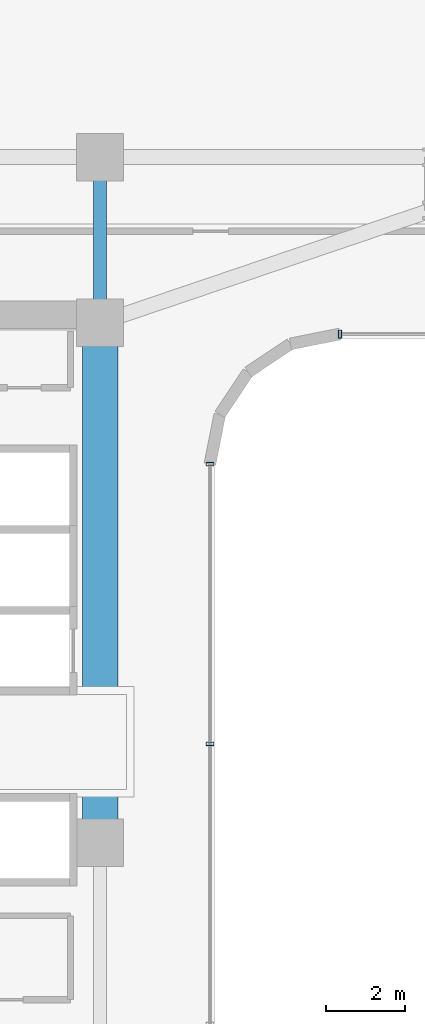
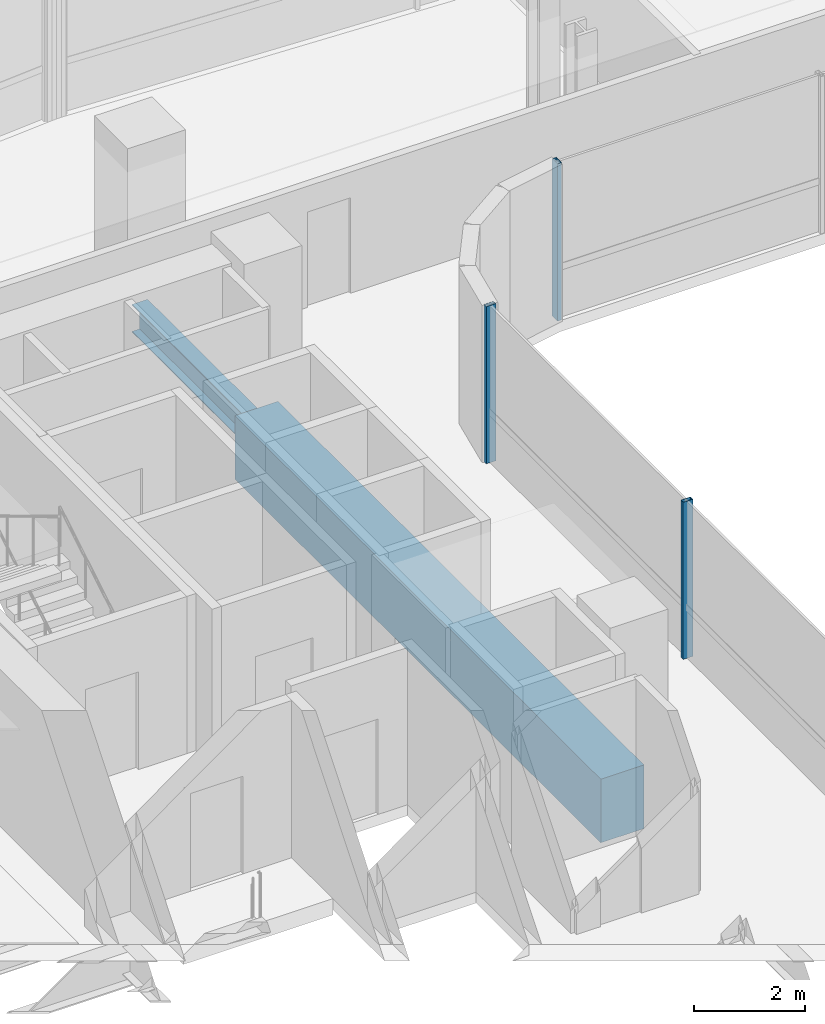
# One storey, part 9 of 34: 3 members, 2 beams, 2 elements without a shape of their own.
"""IFC4 building model written with IfcOpenShell, lengths in metres."""

from ifc_helpers import new_model, si_unit, direction, frame, origin, origin_2d, place, context, subcontext, project, spatial, rectangle, hollow_rectangle, i_section, extrude, source, transform, mapped, material, material_profile, profile_set, type_object, element, aggregate, save


model = new_model("IFC4")

# Units and contexts
model_context = context("Model", 3, precision=1e-05, world=origin(), true_north=direction((0.0, 1.0)))
body_context = subcontext(model_context, "Body", "Model", "MODEL_VIEW")
ifc_project = project(units=[si_unit("LENGTHUNIT", "METRE"), si_unit("AREAUNIT", "SQUARE_METRE"), si_unit("VOLUMEUNIT", "CUBIC_METRE"), si_unit("PLANEANGLEUNIT", "RADIAN"), si_unit("MASSUNIT", "GRAM", prefix="KILO")], contexts=[model_context])

# Site, building, storey
site_placement = place(None, origin())
site = spatial("IfcSite", under=ifc_project, at=site_placement, CompositionType="ELEMENT")
building_placement = place(site_placement, origin())
building = spatial("IfcBuilding", under=site, at=building_placement, Name="Valdorenza Pilgrim Sanctuary Tower", CompositionType="ELEMENT")
storey_placement = place(building_placement, frame((0.0, 0.0, 146.39990234375)))
storey = spatial("IfcBuildingStorey", under=building, at=storey_placement, Name="L37", CompositionType="ELEMENT", Elevation=146.39990234375)

# Beams
ifc_material_1 = material(Name="Concrete C60/75", Category="concrete")
ifc_material_profile_1 = material_profile(ifc_material_1, rectangle(XDim=0.89990234375, YDim=1.39990234375, at=origin_2d()), Name="RC 1400x900")
ifc_profile_set_1 = profile_set([ifc_material_profile_1], Name="Concrete C60/75")
beam_type_1 = type_object("IfcBeamType", Name="STR-BM-LNT-1400", PredefinedType="LINTEL", material=ifc_profile_set_1)
shared_shape_1 = source(origin(), body_context, "Body", "SweptSolid", [
    extrude(rectangle(XDim=0.89990234375, YDim=1.39990234375, at=origin_2d()), origin(), (0.0, 0.0, 1.0), 13.2001953125),
])
beam_1_placement = place(storey_placement, frame((-12.39990234375, -2.60009765625, -0.739990234375), z_axis=(0.0, 1.0, 0.0), x_axis=(-1.0, 0.0, 0.0)))
element("IfcBeam", 1, at=beam_1_placement, inside=storey, type_object=beam_type_1, Name="L37 Core A Coupling Lintel Girder", PredefinedType="LINTEL", context=body_context, shape_type="MappedRepresentation", body=[
    mapped(shared_shape_1, transform((0.0, 0.0, 0.0), x_axis=(1.0, 0.0, 0.0), y_axis=(0.0, 1.0, 0.0), z_axis=(0.0, 0.0, 1.0), scale=1.0)),
])
ifc_material_2 = material(Name="Steel ASTM A992 Grade 50", Category="steel")
ifc_material_profile_2 = material_profile(ifc_material_2, i_section(OverallWidth=0.323974609375, OverallDepth=0.611083984375, WebThickness=0.0126953125, FlangeThickness=0.01904296875, at=origin_2d()), Name="W24X104")
ifc_profile_set_2 = profile_set([ifc_material_profile_2], Name="Steel ASTM A992 Grade 50")
beam_type_2 = type_object("IfcBeamType", Name="STR-BM-GRD-W24B", PredefinedType="BEAM", material=ifc_profile_set_2)
shared_shape_2 = source(origin(), body_context, "Body", "SweptSolid", [
    extrude(i_section(OverallWidth=0.323974609375, OverallDepth=0.611083984375, WebThickness=0.0126953125, FlangeThickness=0.01904296875, at=origin_2d()), origin(), (0.0, 0.0, 1.0), 4.199951171875),
])
beam_2_placement = place(storey_placement, frame((-12.39990234375, 10.60009765625, -0.54541015625), z_axis=(0.0, 1.0, 0.0), x_axis=(-1.0, 0.0, 0.0)))
element("IfcBeam", 2, at=beam_2_placement, inside=storey, type_object=beam_type_2, Name="L37 Core Tie Girder CA-E-N1N2", PredefinedType="BEAM", context=body_context, shape_type="MappedRepresentation", body=[
    mapped(shared_shape_2, transform((0.0, 0.0, 0.0), x_axis=(1.0, 0.0, 0.0), y_axis=(0.0, 1.0, 0.0), z_axis=(0.0, 0.0, 1.0), scale=1.0)),
])

# Curtain wall, member
ifc_material_3 = material(Name="Curtain-wall IGU glazing", Category="glass")
curtain_wall_type = type_object("IfcCurtainWallType", Name="CW-SYS-02", PredefinedType="NOTDEFINED", material=ifc_material_3)
curtain_wall_1_placement = place(storey_placement, origin())
curtain_wall_1 = element("IfcCurtainWall", 3, at=curtain_wall_1_placement, inside=storey, type_object=curtain_wall_type, Name="L37 Curtain Wall CW-L37-1-36", PredefinedType="NOTDEFINED")
ifc_material_4 = material(Name="Anodised aluminium AW-6060", Category="aluminium")
ifc_material_profile_3 = material_profile(ifc_material_4, hollow_rectangle(XDim=0.0849609375, YDim=0.199951171875, WallThickness=0.0048828125, at=origin_2d()), Name="ALU-M 200x85x5")
ifc_profile_set_3 = profile_set([ifc_material_profile_3], Name="Anodised aluminium AW-6060")
member_type = type_object("IfcMemberType", Name="CW-MUL-02", PredefinedType="MULLION", material=ifc_profile_set_3)
shared_shape_3 = source(origin(), body_context, "Body", "SweptSolid", [
    extrude(hollow_rectangle(XDim=0.0849609375, YDim=0.199951171875, WallThickness=0.0048828125, at=origin_2d()), origin(), (0.0, 0.0, 1.0), 3.460205078125),
])
member_1_placement = place(storey_placement, frame((-6.310791015625, 10.31005859375, 0.0), z_axis=(0.0, 0.0, 1.0), x_axis=(-1.0, 0.0, 0.0)))
member_1 = element("IfcMember", 4, at=member_1_placement, type_object=member_type, Name="CW-L37-1-36 Mullion 4", PredefinedType="MULLION", context=body_context, shape_type="MappedRepresentation", body=[
    mapped(shared_shape_3, transform((0.0, 0.0, 0.0), x_axis=(1.0, 0.0, 0.0), y_axis=(0.0, 1.0, 0.0), z_axis=(0.0, 0.0, 1.0), scale=1.0)),
])
aggregate(curtain_wall_1, [member_1])

# Curtain wall, members
curtain_wall_2_placement = place(storey_placement, origin())
curtain_wall_2 = element("IfcCurtainWall", 5, at=curtain_wall_2_placement, inside=storey, type_object=curtain_wall_type, Name="L37 Curtain Wall CW-L37-1-41", PredefinedType="NOTDEFINED")
member_2_placement = place(storey_placement, frame((-9.610107421875, 7.0107421875, 0.0), z_axis=(0.0, 0.0, 1.0), x_axis=(0.0, -1.0, 0.0)))
member_2 = element("IfcMember", 6, at=member_2_placement, type_object=member_type, Name="CW-L37-1-41 Mullion 1", PredefinedType="MULLION", context=body_context, shape_type="MappedRepresentation", body=[
    mapped(shared_shape_3, transform((0.0, 0.0, 0.0), x_axis=(1.0, 0.0, 0.0), y_axis=(0.0, 1.0, 0.0), z_axis=(0.0, 0.0, 1.0), scale=1.0)),
])
member_3_placement = place(storey_placement, frame((-9.610107421875, -0.089111328125, 0.0), z_axis=(0.0, 0.0, 1.0), x_axis=(0.0, -1.0, 0.0)))
member_3 = element("IfcMember", 7, at=member_3_placement, type_object=member_type, Name="CW-L37-1-41 Mullion 2", PredefinedType="MULLION", context=body_context, shape_type="MappedRepresentation", body=[
    mapped(shared_shape_3, transform((0.0, 0.0, 0.0), x_axis=(1.0, 0.0, 0.0), y_axis=(0.0, 1.0, 0.0), z_axis=(0.0, 0.0, 1.0), scale=1.0)),
])
aggregate(curtain_wall_2, [member_2, member_3])

save(model, "model.ifc")
